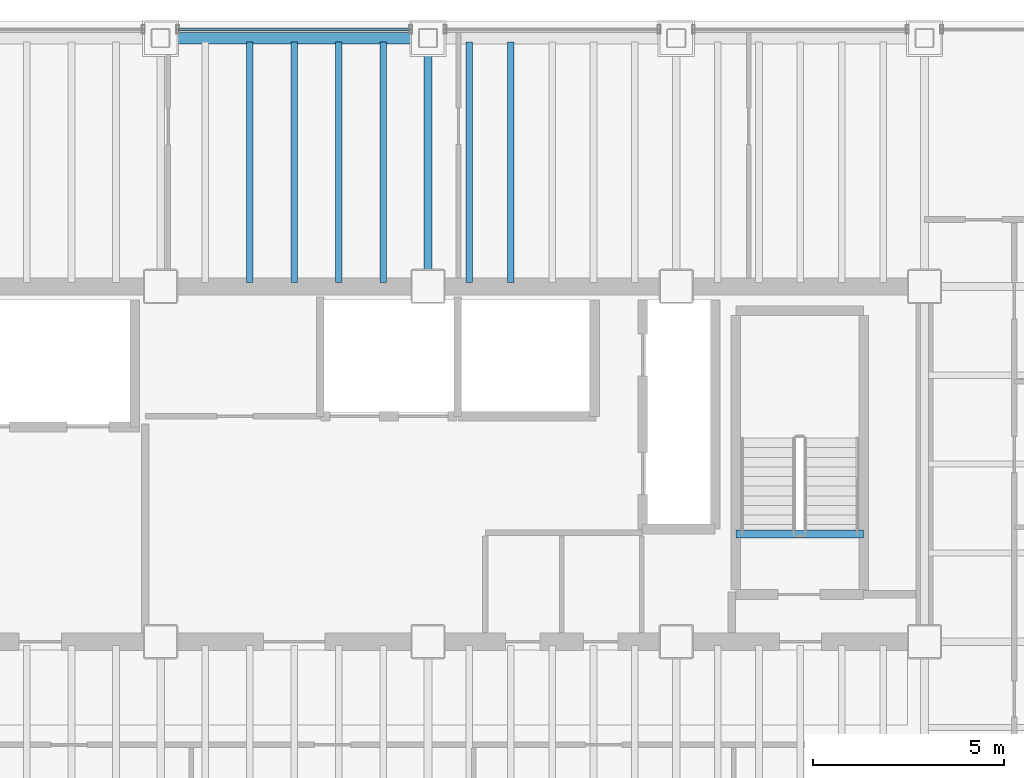
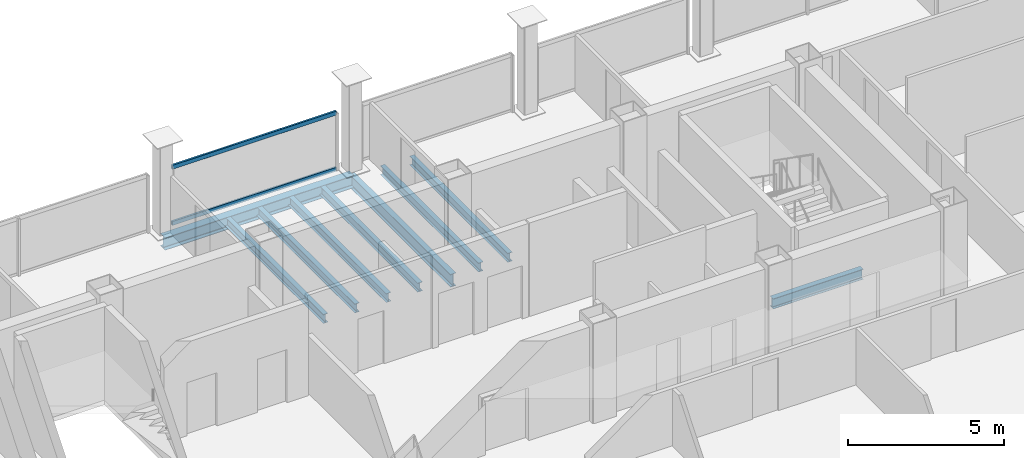
# One storey, part 8 of 16: 9 beams, 2 members, 1 element without a shape of its own.
"""IFC4 building model written with IfcOpenShell, lengths in metres."""

from ifc_helpers import new_model, si_unit, direction, frame, origin, origin_2d, place, context, subcontext, project, spatial, hollow_rectangle, i_section, extrude, material, material_profile, profile_set, type_object, element, aggregate, save


model = new_model("IFC4")

# Units and contexts
model_context = context("Model", 3, precision=1e-05, world=origin(), true_north=direction((0.0, 1.0)))
body_context = subcontext(model_context, "Body", "Model", "MODEL_VIEW")
ifc_project = project(units=[si_unit("LENGTHUNIT", "METRE"), si_unit("AREAUNIT", "SQUARE_METRE"), si_unit("VOLUMEUNIT", "CUBIC_METRE"), si_unit("PLANEANGLEUNIT", "RADIAN"), si_unit("MASSUNIT", "GRAM", prefix="KILO")], contexts=[model_context])

# Site, building, storey
site_placement = place(None, origin())
site = spatial("IfcSite", under=ifc_project, at=site_placement, CompositionType="ELEMENT")
building_placement = place(site_placement, origin())
building = spatial("IfcBuilding", under=site, at=building_placement, Name="Noeulbin Bourse Tower", CompositionType="ELEMENT")
storey_placement = place(building_placement, frame((0.0, 0.0, 192.89990234375)))
storey = spatial("IfcBuildingStorey", under=building, at=storey_placement, Name="L48", CompositionType="ELEMENT", Elevation=192.89990234375)

# Beams
ifc_material_1 = material(Name="Steel S355", Category="steel")
ifc_material_profile_1 = material_profile(ifc_material_1, i_section(OverallWidth=0.199951171875, OverallDepth=0.5, WebThickness=0.010009765625, FlangeThickness=0.01611328125, FilletRadius=0.02001953125, at=origin_2d()), Name="H-500x200x10x16", Category="LoadBearing")
ifc_profile_set_1 = profile_set([ifc_material_profile_1], Name="Steel S355")
beam_type_1 = type_object("IfcBeamType", Name="BM-GRD-500", PredefinedType="USERDEFINED", material=ifc_profile_set_1)
beam_1_placement = place(storey_placement, frame((31.0, 38.300048828125, -0.429931640625), z_axis=(0.0, 1.0, 0.0), x_axis=(-1.0, 0.0, 0.0)))
element("IfcBeam", 1, at=beam_1_placement, inside=storey, type_object=beam_type_1, Name="Tower Primary Girder NS L48-3.4", ObjectType="GIRDER", PredefinedType="USERDEFINED", context=body_context, shape_type="SweptSolid", body=[
    extrude(i_section(OverallWidth=0.199951171875, OverallDepth=0.5, WebThickness=0.010009765625, FlangeThickness=0.01611328125, FilletRadius=0.02001953125, at=origin_2d()), origin(), (0.0, 0.0, 1.0), 6.5),
])
ifc_material_profile_2 = material_profile(ifc_material_1, i_section(OverallWidth=0.175048828125, OverallDepth=0.35009765625, WebThickness=0.007080078125, FlangeThickness=0.010986328125, FilletRadius=0.013916015625, at=origin_2d()), Name="H-350x175x7x11", Category="LoadBearing")
ifc_profile_set_2 = profile_set([ifc_material_profile_2], Name="Steel S355")
beam_type_2 = type_object("IfcBeamType", Name="BM-JST-350", PredefinedType="JOIST", material=ifc_profile_set_2)
for number, where, z_axis, x_axis, name in (
    (2, (26.333251953125, 38.39990234375, -0.35498046875), (0.0, 1.0, 0.0), (-1.0, 0.0, 0.0), "Tower Composite Joist L48-29"),
    (3, (27.5, 38.39990234375, -0.35498046875), (0.0, 1.0, 0.0), (-1.0, 0.0, 0.0), "Tower Composite Joist L48-31"),
    (4, (28.666748046875, 38.39990234375, -0.35498046875), (0.0, 1.0, 0.0), (-1.0, 0.0, 0.0), "Tower Composite Joist L48-33"),
    (5, (29.833251953125, 38.39990234375, -0.35498046875), (0.0, 1.0, 0.0), (-1.0, 0.0, 0.0), "Tower Composite Joist L48-36"),
    (6, (32.083251953125, 38.39990234375, -0.35498046875), (0.0, 1.0, 0.0), (-1.0, 0.0, 0.0), "Tower Composite Joist L48-39"),
    (7, (33.166748046875, 38.39990234375, -0.35498046875), (0.0, 1.0, 0.0), (-1.0, 0.0, 0.0), "Tower Composite Joist L48-42"),
):
    element("IfcBeam", number, at=place(storey_placement, frame(where, z_axis=z_axis, x_axis=x_axis)), inside=storey, type_object=beam_type_2, Name=name, PredefinedType="JOIST", context=body_context, shape_type="SweptSolid", body=[
        extrude(i_section(OverallWidth=0.175048828125, OverallDepth=0.35009765625, WebThickness=0.007080078125, FlangeThickness=0.010986328125, FilletRadius=0.013916015625, at=origin_2d()), origin(), (0.0, 0.0, 1.0), 6.300048828125),
    ])
ifc_material_profile_3 = material_profile(ifc_material_1, i_section(OverallWidth=0.199951171875, OverallDepth=0.39990234375, WebThickness=0.008056640625, FlangeThickness=0.012939453125, FilletRadius=0.01611328125, at=origin_2d()), Name="H-400x200x8x13", Category="LoadBearing")
ifc_profile_set_3 = profile_set([ifc_material_profile_3], Name="Steel S355")
beam_type_3 = type_object("IfcBeamType", Name="BM-SEC-400", PredefinedType="BEAM", material=ifc_profile_set_3)
beam_2_placement = place(storey_placement, frame((39.06005859375, 31.820068359375, -0.199951171875), z_axis=(1.0, 0.0, 0.0), x_axis=(0.0, 1.0, 0.0)))
element("IfcBeam", 8, at=beam_2_placement, inside=storey, type_object=beam_type_3, Name="Stair Threshold Trimmer Beam ST2-L48", PredefinedType="BEAM", context=body_context, shape_type="SweptSolid", body=[
    extrude(i_section(OverallWidth=0.199951171875, OverallDepth=0.39990234375, WebThickness=0.008056640625, FlangeThickness=0.012939453125, FilletRadius=0.01611328125, at=origin_2d()), origin(), (0.0, 0.0, 1.0), 3.33984375),
])
ifc_material_profile_4 = material_profile(ifc_material_1, i_section(OverallWidth=0.300048828125, OverallDepth=0.488037109375, WebThickness=0.010986328125, FlangeThickness=0.01806640625, FilletRadius=0.02197265625, at=origin_2d()), Name="H-488x300x11x18", Category="LoadBearing")
ifc_profile_set_4 = profile_set([ifc_material_profile_4], Name="Steel S355")
beam_type_4 = type_object("IfcBeamType", Name="BM-SPN-488", PredefinedType="SPANDREL", material=ifc_profile_set_4)
beam_3_placement = place(storey_placement, frame((24.0, 44.800048828125, -0.423828125), z_axis=(1.0, 0.0, 0.0), x_axis=(0.0, 1.0, 0.0)))
element("IfcBeam", 9, at=beam_3_placement, inside=storey, type_object=beam_type_4, Name="North Spandrel L48-2", PredefinedType="SPANDREL", context=body_context, shape_type="SweptSolid", body=[
    extrude(i_section(OverallWidth=0.300048828125, OverallDepth=0.488037109375, WebThickness=0.010986328125, FlangeThickness=0.01806640625, FilletRadius=0.02197265625, at=origin_2d()), origin(), (0.0, 0.0, 1.0), 7.0),
])

# Curtain wall, members
ifc_material_2 = material(Name="Dark Tinted Triple Glazing", Category="glass")
curtain_wall_type = type_object("IfcCurtainWallType", Name="CW-SYS-3", PredefinedType="NOTDEFINED", material=ifc_material_2)
curtain_wall_placement = place(storey_placement, origin())
curtain_wall = element("IfcCurtainWall", 10, at=curtain_wall_placement, inside=storey, type_object=curtain_wall_type, Name="Unitised Curtain Wall CW-L48-N-S2", PredefinedType="NOTDEFINED")
ifc_material_3 = material(Name="Anodised Aluminium 6063-T6", Category="aluminium")
ifc_material_profile_5 = material_profile(ifc_material_3, hollow_rectangle(XDim=0.074951171875, YDim=0.159912109375, WallThickness=0.0048828125, InnerFilletRadius=0.00244140625, OuterFilletRadius=0.0048828125, at=origin_2d()), Name="ALU-TRAN-75x160x5", Category="LoadBearing")
ifc_profile_set_5 = profile_set([ifc_material_profile_5], Name="Anodised Aluminium 6063-T6")
member_type = type_object("IfcMemberType", Name="CW-SYS-3-TRN", PredefinedType="USERDEFINED", material=ifc_profile_set_5)
member_1_placement = place(storey_placement, frame((24.4599609375, 45.030029296875, 0.010009765625), z_axis=(1.0, 0.0, 0.0), x_axis=(0.0, 1.0, 0.0)))
member_1 = element("IfcMember", 11, at=member_1_placement, type_object=member_type, Name="Curtain Wall Transom CW-L48-N-S2-T00", ObjectType="TRANSOM", PredefinedType="USERDEFINED", context=body_context, shape_type="SweptSolid", body=[
    extrude(hollow_rectangle(XDim=0.074951171875, YDim=0.159912109375, WallThickness=0.0048828125, InnerFilletRadius=0.00244140625, OuterFilletRadius=0.0048828125, at=origin_2d()), origin(), (0.0, 0.0, 1.0), 6.080078125),
])
member_2_placement = place(storey_placement, frame((24.4599609375, 45.030029296875, 2.210205078125), z_axis=(1.0, 0.0, 0.0), x_axis=(0.0, 1.0, 0.0)))
member_2 = element("IfcMember", 12, at=member_2_placement, type_object=member_type, Name="Curtain Wall Transom CW-L48-N-S2-T01", ObjectType="TRANSOM", PredefinedType="USERDEFINED", context=body_context, shape_type="SweptSolid", body=[
    extrude(hollow_rectangle(XDim=0.074951171875, YDim=0.159912109375, WallThickness=0.0048828125, InnerFilletRadius=0.00244140625, OuterFilletRadius=0.0048828125, at=origin_2d()), origin(), (0.0, 0.0, 1.0), 6.080078125),
])
aggregate(curtain_wall, [member_1, member_2])

save(model, "model.ifc")
